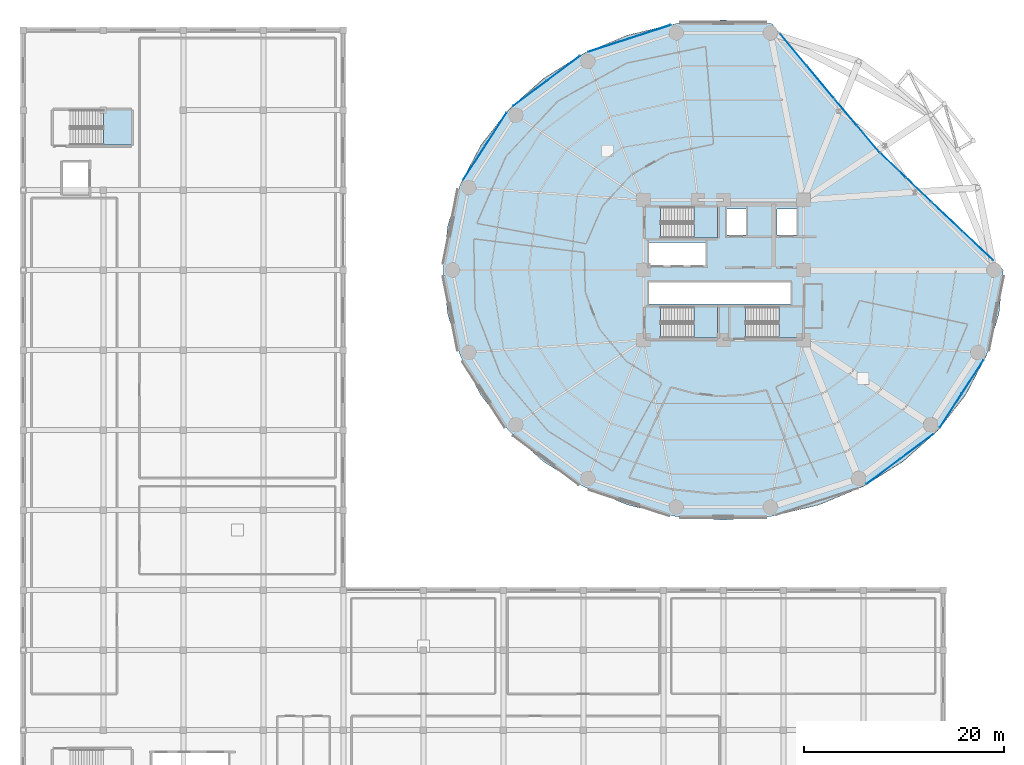
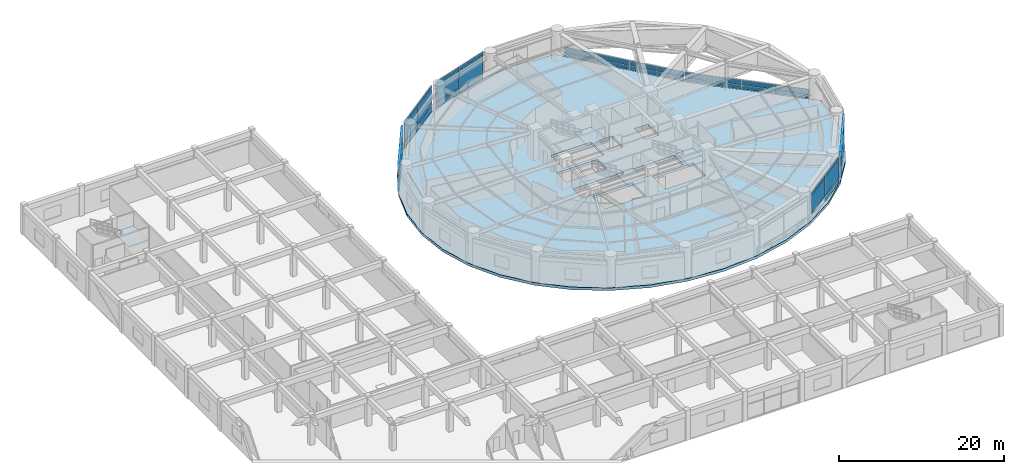
# One storey, part 37 of 52: 45 plates, 5 slabs, 13 elements without a shape of their own.
"""IFC4 building model written with IfcOpenShell, lengths in metres."""

from ifc_helpers import new_model, si_unit, direction, frame, origin, origin_2d, place, context, subcontext, project, spatial, polyline, rectangle, outline, extrude, source, transform, mapped, material, layer, layer_set, type_object, element, aggregate, save


model = new_model("IFC4")

# Units and contexts
model_context = context("Model", 3, precision=1e-05, world=origin(), true_north=direction((0.0, 1.0)))
body_context = subcontext(model_context, "Body", "Model", "MODEL_VIEW")
ifc_project = project(units=[si_unit("LENGTHUNIT", "METRE"), si_unit("AREAUNIT", "SQUARE_METRE"), si_unit("VOLUMEUNIT", "CUBIC_METRE"), si_unit("PLANEANGLEUNIT", "RADIAN"), si_unit("MASSUNIT", "GRAM", prefix="KILO")], contexts=[model_context])

# Site, building, storey
site_placement = place(None, origin())
site = spatial("IfcSite", under=ifc_project, at=site_placement, CompositionType="ELEMENT")
building_placement = place(site_placement, origin())
building = spatial("IfcBuilding", under=site, at=building_placement, Name="Kelanora Arch Commons", CompositionType="ELEMENT")
storey_placement = place(building_placement, frame((0.0, 0.0, 13.5)))
storey = spatial("IfcBuildingStorey", under=building, at=storey_placement, Name="L03", CompositionType="ELEMENT", Elevation=13.5)

# Stair, slab
ifc_material_1 = material(Name="Concrete C40/50", Category="concrete")
stair_type = type_object("IfcStairType", Name="STR-DL-450", PredefinedType="HALF_TURN_STAIR", material=ifc_material_1)
stair_1_placement = place(storey_placement, origin())
stair_1 = element("IfcStair", 1, at=stair_1_placement, inside=storey, type_object=stair_type, Name="L03 ST-T1", PredefinedType="HALF_TURN_STAIR")
ifc_layer_1 = layer(ifc_material_1, 0.199951171875)
ifc_layer_set_1 = layer_set([ifc_layer_1], Name="Concrete C40/50")
slab_type_1 = type_object("IfcSlabType", Name="SLB-STAIR-LND", PredefinedType="LANDING", material=ifc_layer_set_1)
slab_1_placement = place(storey_placement, frame((0.0, 0.0, 2.050048828125)))
slab_1 = element("IfcSlab", 2, at=slab_1_placement, type_object=slab_type_1, Name="ST-T1 landing 1", PredefinedType="LANDING", context=body_context, shape_type="SweptSolid", body=[
    extrude(outline(polyline([(71.080078125, 61.179931640625), (73.43994140625, 61.179931640625), (73.43994140625, 64.2900390625), (71.080078125, 64.2900390625), (71.080078125, 61.179931640625)])), origin(), (0.0, 0.0, 1.0), 0.199951171875),
])
aggregate(stair_1, [slab_1])

stair_2_placement = place(storey_placement, origin())
stair_2 = element("IfcStair", 3, at=stair_2_placement, inside=storey, type_object=stair_type, Name="L03 ST-T2", PredefinedType="HALF_TURN_STAIR")
slab_2_placement = place(storey_placement, frame((0.0, 0.0, 2.050048828125)))
slab_2 = element("IfcSlab", 4, at=slab_2_placement, type_object=slab_type_1, Name="ST-T2 landing 1", PredefinedType="LANDING", context=body_context, shape_type="SweptSolid", body=[
    extrude(outline(polyline([(79.56005859375, 51.179931640625), (81.919921875, 51.179931640625), (81.919921875, 54.2900390625), (79.56005859375, 54.2900390625), (79.56005859375, 51.179931640625)])), origin(), (0.0, 0.0, 1.0), 0.199951171875),
])
aggregate(stair_2, [slab_2])

stair_3_placement = place(storey_placement, origin())
stair_3 = element("IfcStair", 5, at=stair_3_placement, inside=storey, type_object=stair_type, Name="L03 ST-T3", PredefinedType="HALF_TURN_STAIR")
slab_3_placement = place(storey_placement, frame((0.0, 0.0, 2.050048828125)))
slab_3 = element("IfcSlab", 6, at=slab_3_placement, type_object=slab_type_1, Name="ST-T3 landing 1", PredefinedType="LANDING", context=body_context, shape_type="SweptSolid", body=[
    extrude(outline(polyline([(71.080078125, 51.179931640625), (73.43994140625, 51.179931640625), (73.43994140625, 54.2900390625), (71.080078125, 54.2900390625), (71.080078125, 51.179931640625)])), origin(), (0.0, 0.0, 1.0), 0.199951171875),
])
aggregate(stair_3, [slab_3])

stair_4_placement = place(storey_placement, origin())
stair_4 = element("IfcStair", 7, at=stair_4_placement, inside=storey, type_object=stair_type, Name="L03 ST-M3", PredefinedType="HALF_TURN_STAIR")
slab_4_placement = place(storey_placement, frame((0.0, 0.0, 2.050048828125)))
slab_4 = element("IfcSlab", 8, at=slab_4_placement, type_object=slab_type_1, Name="ST-M3 landing 1", PredefinedType="LANDING", context=body_context, shape_type="SweptSolid", body=[
    extrude(outline(polyline([(12.0400390625, 70.47998046875), (14.800048828125, 70.47998046875), (14.800048828125, 73.989990234375), (12.0400390625, 73.989990234375), (12.0400390625, 70.47998046875)])), origin(), (0.0, 0.0, 1.0), 0.199951171875),
])
aggregate(stair_4, [slab_4])

# Slab
ifc_material_2 = material(Name="Concrete C50/60", Category="concrete")
ifc_layer_2 = layer(ifc_material_2, 0.39990234375)
ifc_layer_set_2 = layer_set([ifc_layer_2], Name="Concrete C50/60")
slab_type_2 = type_object("IfcSlabType", Name="SLB-TWR-XFER", PredefinedType="FLOOR", material=ifc_layer_set_2)
slab_5_placement = place(storey_placement, frame((0.0, 0.0, -0.39990234375)))
element("IfcSlab", 9, at=slab_5_placement, inside=storey, type_object=slab_type_2, Name="Tower Floor Slab L03", PredefinedType="FLOOR", context=body_context, shape_type="SweptSolid", body=[
    extrude(outline(polyline([(102.0, 58.0), (97.9521484375, 61.77099609375), (94.83349609375, 64.770263671875), (92.0791015625, 67.319580078125), (89.657958984375, 69.73095703125), (87.418701171875, 72.2783203125), (85.085205078125, 75.14306640625), (82.318603515625, 78.406005859375), (78.862060546875, 82.6201171875), (74.0, 83.0), (69.137939453125, 82.6201171875), (64.42333984375, 81.4921875), (60.0, 79.650634765625), (56.001953125, 77.151123046875), (52.55078125, 74.069580078125), (49.751220703125, 70.5), (47.688720703125, 66.550537109375), (46.42529296875, 62.34130859375), (46.0, 58.0), (46.42529296875, 53.65869140625), (47.688720703125, 49.449462890625), (49.751220703125, 45.5), (52.55078125, 41.930419921875), (56.001953125, 38.848876953125), (60.0, 36.349365234375), (64.42333984375, 34.5078125), (69.137939453125, 33.3798828125), (74.0, 33.0), (78.862060546875, 33.3798828125), (83.57666015625, 34.5078125), (88.0, 36.349365234375), (91.998046875, 38.848876953125), (95.44921875, 41.930419921875), (98.248779296875, 45.5), (100.311279296875, 49.449462890625), (101.57470703125, 53.65869140625), (102.0, 58.0)]), holes=[polyline([(73.431884765625, 51.18798828125), (67.72802734375, 51.18798828125), (67.72802734375, 54.281982421875), (73.431884765625, 54.281982421875), (73.431884765625, 51.18798828125)]), polyline([(76.2080078125, 51.18798828125), (76.2080078125, 54.281982421875), (81.912109375, 54.281982421875), (81.912109375, 51.18798828125), (76.2080078125, 51.18798828125)]), polyline([(66.550048828125, 54.60009765625), (66.550048828125, 56.800048828125), (80.75, 56.800048828125), (80.75, 54.60009765625), (66.550048828125, 54.60009765625)]), polyline([(66.550048828125, 58.449951171875), (66.550048828125, 60.75), (72.25, 60.75), (72.25, 58.449951171875), (66.550048828125, 58.449951171875)]), polyline([(67.72802734375, 61.18798828125), (67.72802734375, 64.281982421875), (73.431884765625, 64.281982421875), (73.431884765625, 61.18798828125), (67.72802734375, 61.18798828125)]), polyline([(74.3798828125, 61.47998046875), (74.3798828125, 64.1201171875), (76.260009765625, 64.1201171875), (76.260009765625, 61.47998046875), (74.3798828125, 61.47998046875)]), polyline([(79.3798828125, 61.47998046875), (79.3798828125, 64.1201171875), (81.320068359375, 64.1201171875), (81.320068359375, 61.47998046875), (79.3798828125, 61.47998046875)])]), origin(), (0.0, 0.0, 1.0), 0.39990234375),
])

# Curtain wall, plates
ifc_material_3 = material(Name="Terracotta ceramic-fritted low-E glass and aluminium", Category="masonry")
ifc_layer_3 = layer(ifc_material_3, 0.2099609375)
ifc_layer_set_3 = layer_set([ifc_layer_3], Name="Terracotta ceramic-fritted low-E glass and aluminium")
curtain_wall_type = type_object("IfcCurtainWallType", Name="CW-SYS-04", PredefinedType="NOTDEFINED", material=ifc_layer_set_3)
curtain_wall_1_placement = place(storey_placement, origin())
curtain_wall_1 = element("IfcCurtainWall", 10, at=curtain_wall_1_placement, inside=storey, type_object=curtain_wall_type, Name="Unitised Curtain Wall L03-B00", PredefinedType="NOTDEFINED")
ifc_material_4 = material(Name="Clear laminated solar-control double glazing", Category="glass")
ifc_layer_4 = layer(ifc_material_4, 0.033935546875)
ifc_layer_set_4 = layer_set([ifc_layer_4], Name="Clear laminated solar-control double glazing")
plate_type = type_object("IfcPlateType", Name="CWP-CLR", PredefinedType="CURTAIN_PANEL", material=ifc_layer_set_4)
shared_shape_1 = source(origin(), body_context, "Body", "SweptSolid", [
    extrude(rectangle(XDim=4.146240234375, YDim=0.033935546875, at=origin_2d()), origin(), (0.0, 0.0, 1.0), 0.575927734375),
])
plate_1_placement = place(storey_placement, frame((99.452392578125, 60.40673828125, 0.06005859375), z_axis=(0.0, 0.0, 1.0), x_axis=(-0.72692182078, 0.686720224308, 0.0)))
plate_1 = element("IfcPlate", 11, at=plate_1_placement, type_object=plate_type, Name="CW-04 panel 1.1", PredefinedType="CURTAIN_PANEL", context=body_context, shape_type="MappedRepresentation", body=[
    mapped(shared_shape_1, transform((0.0, 0.0, 0.0), scale=1.0)),
])
plate_2_placement = place(storey_placement, frame((96.394775390625, 63.295166015625, 0.06005859375), z_axis=(0.0, 0.0, 1.0), x_axis=(-0.72692182078, 0.686720224308, 0.0)))
plate_2 = element("IfcPlate", 12, at=plate_2_placement, type_object=plate_type, Name="CW-04 panel 2.1", PredefinedType="CURTAIN_PANEL", context=body_context, shape_type="MappedRepresentation", body=[
    mapped(shared_shape_1, transform((0.0, 0.0, 0.0), scale=1.0)),
])
shared_shape_2 = source(origin(), body_context, "Body", "SweptSolid", [
    extrude(rectangle(XDim=4.146240234375, YDim=0.033935546875, at=origin_2d()), origin(), (0.0, 0.0, 1.0), 0.72412109375),
])
plate_3_placement = place(storey_placement, frame((99.452392578125, 60.40673828125, 0.696044921875), z_axis=(0.0, 0.0, 1.0), x_axis=(-0.72692182078, 0.686720224308, 0.0)))
plate_3 = element("IfcPlate", 13, at=plate_3_placement, type_object=plate_type, Name="CW-04 panel 1.2", PredefinedType="CURTAIN_PANEL", context=body_context, shape_type="MappedRepresentation", body=[
    mapped(shared_shape_2, transform((0.0, 0.0, 0.0), scale=1.0)),
])
plate_4_placement = place(storey_placement, frame((96.394775390625, 63.295166015625, 0.696044921875), z_axis=(0.0, 0.0, 1.0), x_axis=(-0.72692182078, 0.686720224308, 0.0)))
plate_4 = element("IfcPlate", 14, at=plate_4_placement, type_object=plate_type, Name="CW-04 panel 2.2", PredefinedType="CURTAIN_PANEL", context=body_context, shape_type="MappedRepresentation", body=[
    mapped(shared_shape_2, transform((0.0, 0.0, 0.0), scale=1.0)),
])
aggregate(curtain_wall_1, [plate_1, plate_3, plate_2, plate_4])

curtain_wall_2_placement = place(storey_placement, origin())
curtain_wall_2 = element("IfcCurtainWall", 15, at=curtain_wall_2_placement, inside=storey, type_object=curtain_wall_type, Name="Unitised Curtain Wall L03-B01", PredefinedType="NOTDEFINED")
shared_shape_3 = source(origin(), body_context, "Body", "SweptSolid", [
    extrude(rectangle(XDim=3.4794921875, YDim=0.033935546875, at=origin_2d()), origin(), (0.0, 0.0, 1.0), 0.575927734375),
])
plate_5_placement = place(storey_placement, frame((93.523193359375, 66.026123046875, 0.06005859375), z_axis=(0.0, 0.0, 1.0), x_axis=(-0.721943011302, 0.691952518914, 0.0)))
plate_5 = element("IfcPlate", 16, at=plate_5_placement, type_object=plate_type, Name="CW-04 panel 1.1", PredefinedType="CURTAIN_PANEL", context=body_context, shape_type="MappedRepresentation", body=[
    mapped(shared_shape_3, transform((0.0, 0.0, 0.0), scale=1.0)),
])
plate_6_placement = place(storey_placement, frame((90.968017578125, 68.47509765625, 0.06005859375), z_axis=(0.0, 0.0, 1.0), x_axis=(-0.721943011302, 0.691952518914, 0.0)))
plate_6 = element("IfcPlate", 17, at=plate_6_placement, type_object=plate_type, Name="CW-04 panel 2.1", PredefinedType="CURTAIN_PANEL", context=body_context, shape_type="MappedRepresentation", body=[
    mapped(shared_shape_3, transform((0.0, 0.0, 0.0), scale=1.0)),
])
shared_shape_4 = source(origin(), body_context, "Body", "SweptSolid", [
    extrude(rectangle(XDim=3.4794921875, YDim=0.033935546875, at=origin_2d()), origin(), (0.0, 0.0, 1.0), 0.72412109375),
])
plate_7_placement = place(storey_placement, frame((93.523193359375, 66.026123046875, 0.696044921875), z_axis=(0.0, 0.0, 1.0), x_axis=(-0.721943011302, 0.691952518914, 0.0)))
plate_7 = element("IfcPlate", 18, at=plate_7_placement, type_object=plate_type, Name="CW-04 panel 1.2", PredefinedType="CURTAIN_PANEL", context=body_context, shape_type="MappedRepresentation", body=[
    mapped(shared_shape_4, transform((0.0, 0.0, 0.0), scale=1.0)),
])
plate_8_placement = place(storey_placement, frame((90.968017578125, 68.47509765625, 0.696044921875), z_axis=(0.0, 0.0, 1.0), x_axis=(-0.721943011302, 0.691952518914, 0.0)))
plate_8 = element("IfcPlate", 19, at=plate_8_placement, type_object=plate_type, Name="CW-04 panel 2.2", PredefinedType="CURTAIN_PANEL", context=body_context, shape_type="MappedRepresentation", body=[
    mapped(shared_shape_4, transform((0.0, 0.0, 0.0), scale=1.0)),
])
aggregate(curtain_wall_2, [plate_5, plate_7, plate_6, plate_8])

curtain_wall_3_placement = place(storey_placement, origin())
curtain_wall_3 = element("IfcCurtainWall", 20, at=curtain_wall_3_placement, inside=storey, type_object=curtain_wall_type, Name="Unitised Curtain Wall L03-B02", PredefinedType="NOTDEFINED")
shared_shape_5 = source(origin(), body_context, "Body", "SweptSolid", [
    extrude(rectangle(XDim=3.4375, YDim=0.033935546875, at=origin_2d()), origin(), (0.0, 0.0, 1.0), 0.575927734375),
])
plate_9_placement = place(storey_placement, frame((88.500244140625, 71.10107421875, 0.06005859375), z_axis=(0.0, 0.0, 1.0), x_axis=(-0.645388011752, 0.763854903949, 0.0)))
plate_9 = element("IfcPlate", 21, at=plate_9_placement, type_object=plate_type, Name="CW-04 panel 1.1", PredefinedType="CURTAIN_PANEL", context=body_context, shape_type="MappedRepresentation", body=[
    mapped(shared_shape_5, transform((0.0, 0.0, 0.0), scale=1.0)),
])
plate_10_placement = place(storey_placement, frame((86.242919921875, 73.772705078125, 0.06005859375), z_axis=(0.0, 0.0, 1.0), x_axis=(-0.645388011752, 0.763854903949, 0.0)))
plate_10 = element("IfcPlate", 22, at=plate_10_placement, type_object=plate_type, Name="CW-04 panel 2.1", PredefinedType="CURTAIN_PANEL", context=body_context, shape_type="MappedRepresentation", body=[
    mapped(shared_shape_5, transform((0.0, 0.0, 0.0), scale=1.0)),
])
shared_shape_6 = source(origin(), body_context, "Body", "SweptSolid", [
    extrude(rectangle(XDim=3.4375, YDim=0.033935546875, at=origin_2d()), origin(), (0.0, 0.0, 1.0), 0.72412109375),
])
plate_11_placement = place(storey_placement, frame((88.500244140625, 71.10107421875, 0.696044921875), z_axis=(0.0, 0.0, 1.0), x_axis=(-0.645388011752, 0.763854903949, 0.0)))
plate_11 = element("IfcPlate", 23, at=plate_11_placement, type_object=plate_type, Name="CW-04 panel 1.2", PredefinedType="CURTAIN_PANEL", context=body_context, shape_type="MappedRepresentation", body=[
    mapped(shared_shape_6, transform((0.0, 0.0, 0.0), scale=1.0)),
])
plate_12_placement = place(storey_placement, frame((86.242919921875, 73.772705078125, 0.696044921875), z_axis=(0.0, 0.0, 1.0), x_axis=(-0.645388011752, 0.763854903949, 0.0)))
plate_12 = element("IfcPlate", 24, at=plate_12_placement, type_object=plate_type, Name="CW-04 panel 2.2", PredefinedType="CURTAIN_PANEL", context=body_context, shape_type="MappedRepresentation", body=[
    mapped(shared_shape_6, transform((0.0, 0.0, 0.0), scale=1.0)),
])
aggregate(curtain_wall_3, [plate_9, plate_11, plate_10, plate_12])

curtain_wall_4_placement = place(storey_placement, origin())
curtain_wall_4 = element("IfcCurtainWall", 25, at=curtain_wall_4_placement, inside=storey, type_object=curtain_wall_type, Name="Unitised Curtain Wall L03-B03", PredefinedType="NOTDEFINED")
shared_shape_7 = source(origin(), body_context, "Body", "SweptSolid", [
    extrude(rectangle(XDim=4.1533203125, YDim=0.033935546875, at=origin_2d()), origin(), (0.0, 0.0, 1.0), 0.575927734375),
])
plate_13_placement = place(storey_placement, frame((83.708740234375, 76.796875, 0.06005859375), z_axis=(0.0, 0.0, 1.0), x_axis=(-0.639702125211, 0.768622918602, 0.0)))
plate_13 = element("IfcPlate", 26, at=plate_13_placement, type_object=plate_type, Name="CW-04 panel 1.1", PredefinedType="CURTAIN_PANEL", context=body_context, shape_type="MappedRepresentation", body=[
    mapped(shared_shape_7, transform((0.0, 0.0, 0.0), scale=1.0)),
])
plate_14_placement = place(storey_placement, frame((81.013427734375, 80.03515625, 0.06005859375), z_axis=(0.0, 0.0, 1.0), x_axis=(-0.639702125211, 0.768622918602, 0.0)))
plate_14 = element("IfcPlate", 27, at=plate_14_placement, type_object=plate_type, Name="CW-04 panel 2.1", PredefinedType="CURTAIN_PANEL", context=body_context, shape_type="MappedRepresentation", body=[
    mapped(shared_shape_7, transform((0.0, 0.0, 0.0), scale=1.0)),
])
shared_shape_8 = source(origin(), body_context, "Body", "SweptSolid", [
    extrude(rectangle(XDim=4.1533203125, YDim=0.033935546875, at=origin_2d()), origin(), (0.0, 0.0, 1.0), 0.72412109375),
])
plate_15_placement = place(storey_placement, frame((83.708740234375, 76.796875, 0.696044921875), z_axis=(0.0, 0.0, 1.0), x_axis=(-0.639702125211, 0.768622918602, 0.0)))
plate_15 = element("IfcPlate", 28, at=plate_15_placement, type_object=plate_type, Name="CW-04 panel 1.2", PredefinedType="CURTAIN_PANEL", context=body_context, shape_type="MappedRepresentation", body=[
    mapped(shared_shape_8, transform((0.0, 0.0, 0.0), scale=1.0)),
])
plate_16_placement = place(storey_placement, frame((81.013427734375, 80.03515625, 0.696044921875), z_axis=(0.0, 0.0, 1.0), x_axis=(-0.639702125211, 0.768622918602, 0.0)))
plate_16 = element("IfcPlate", 29, at=plate_16_placement, type_object=plate_type, Name="CW-04 panel 2.2", PredefinedType="CURTAIN_PANEL", context=body_context, shape_type="MappedRepresentation", body=[
    mapped(shared_shape_8, transform((0.0, 0.0, 0.0), scale=1.0)),
])
aggregate(curtain_wall_4, [plate_13, plate_15, plate_14, plate_16])

curtain_wall_5_placement = place(storey_placement, origin())
curtain_wall_5 = element("IfcCurtainWall", 30, at=curtain_wall_5_placement, inside=storey, type_object=curtain_wall_type, Name="Unitised Curtain Wall L03-B05", PredefinedType="NOTDEFINED")
shared_shape_9 = source(origin(), body_context, "Body", "SweptSolid", [
    extrude(rectangle(XDim=4.28466796875, YDim=0.033935546875, at=origin_2d()), origin(), (0.0, 0.0, 1.0), 0.81005859375),
])
plate_17_placement = place(storey_placement, frame((66.6826171875, 81.822265625, 0.06005859375), z_axis=(0.0, 0.0, 1.0), x_axis=(-0.951039444211, -0.309069531911, 0.0)))
plate_17 = element("IfcPlate", 31, at=plate_17_placement, type_object=plate_type, Name="CW-04 panel 1.1", PredefinedType="CURTAIN_PANEL", context=body_context, shape_type="MappedRepresentation", body=[
    mapped(shared_shape_9, transform((0.0, 0.0, 0.0), scale=1.0)),
])
plate_18_placement = place(storey_placement, frame((62.55078125, 80.4794921875, 0.06005859375), z_axis=(0.0, 0.0, 1.0), x_axis=(-0.951039444211, -0.309069531911, 0.0)))
plate_18 = element("IfcPlate", 32, at=plate_18_placement, type_object=plate_type, Name="CW-04 panel 2.1", PredefinedType="CURTAIN_PANEL", context=body_context, shape_type="MappedRepresentation", body=[
    mapped(shared_shape_9, transform((0.0, 0.0, 0.0), scale=1.0)),
])
shared_shape_10 = source(origin(), body_context, "Body", "SweptSolid", [
    extrude(rectangle(XDim=4.28466796875, YDim=0.033935546875, at=origin_2d()), origin(), (0.0, 0.0, 1.0), 2.625),
])
plate_19_placement = place(storey_placement, frame((66.6826171875, 81.822265625, 0.929931640625), z_axis=(0.0, 0.0, 1.0), x_axis=(-0.951039444211, -0.309069531911, 0.0)))
plate_19 = element("IfcPlate", 33, at=plate_19_placement, type_object=plate_type, Name="CW-04 panel 1.2", PredefinedType="CURTAIN_PANEL", context=body_context, shape_type="MappedRepresentation", body=[
    mapped(shared_shape_10, transform((0.0, 0.0, 0.0), scale=1.0)),
])
plate_20_placement = place(storey_placement, frame((62.55078125, 80.4794921875, 0.929931640625), z_axis=(0.0, 0.0, 1.0), x_axis=(-0.951039444211, -0.309069531911, 0.0)))
plate_20 = element("IfcPlate", 34, at=plate_20_placement, type_object=plate_type, Name="CW-04 panel 2.2", PredefinedType="CURTAIN_PANEL", context=body_context, shape_type="MappedRepresentation", body=[
    mapped(shared_shape_10, transform((0.0, 0.0, 0.0), scale=1.0)),
])
shared_shape_11 = source(origin(), body_context, "Body", "SweptSolid", [
    extrude(rectangle(XDim=4.28466796875, YDim=0.033935546875, at=origin_2d()), origin(), (0.0, 0.0, 1.0), 0.409912109375),
])
plate_21_placement = place(storey_placement, frame((66.6826171875, 81.822265625, 3.615234375), z_axis=(0.0, 0.0, 1.0), x_axis=(-0.951039444211, -0.309069531911, 0.0)))
plate_21 = element("IfcPlate", 35, at=plate_21_placement, type_object=plate_type, Name="CW-04 panel 1.3", PredefinedType="CURTAIN_PANEL", context=body_context, shape_type="MappedRepresentation", body=[
    mapped(shared_shape_11, transform((0.0, 0.0, 0.0), scale=1.0)),
])
plate_22_placement = place(storey_placement, frame((62.55078125, 80.4794921875, 3.615234375), z_axis=(0.0, 0.0, 1.0), x_axis=(-0.951039444211, -0.309069531911, 0.0)))
plate_22 = element("IfcPlate", 36, at=plate_22_placement, type_object=plate_type, Name="CW-04 panel 2.3", PredefinedType="CURTAIN_PANEL", context=body_context, shape_type="MappedRepresentation", body=[
    mapped(shared_shape_11, transform((0.0, 0.0, 0.0), scale=1.0)),
])
aggregate(curtain_wall_5, [plate_17, plate_19, plate_21, plate_18, plate_20, plate_22])

curtain_wall_6_placement = place(storey_placement, origin())
curtain_wall_6 = element("IfcCurtainWall", 37, at=curtain_wall_6_placement, inside=storey, type_object=curtain_wall_type, Name="Unitised Curtain Wall L03-B06", PredefinedType="NOTDEFINED")
shared_shape_12 = source(origin(), body_context, "Body", "SweptSolid", [
    extrude(rectangle(XDim=4.133056640625, YDim=0.033935546875, at=origin_2d()), origin(), (0.0, 0.0, 1.0), 0.81005859375),
])
plate_23_placement = place(storey_placement, frame((58.0166015625, 78.164794921875, 0.06005859375), z_axis=(0.0, 0.0, 1.0), x_axis=(-0.800305369944, -0.59959262407, 0.0)))
plate_23 = element("IfcPlate", 38, at=plate_23_placement, type_object=plate_type, Name="CW-04 panel 1.1", PredefinedType="CURTAIN_PANEL", context=body_context, shape_type="MappedRepresentation", body=[
    mapped(shared_shape_12, transform((0.0, 0.0, 0.0), scale=1.0)),
])
plate_24_placement = place(storey_placement, frame((54.660888671875, 75.650634765625, 0.06005859375), z_axis=(0.0, 0.0, 1.0), x_axis=(-0.800305369944, -0.59959262407, 0.0)))
plate_24 = element("IfcPlate", 39, at=plate_24_placement, type_object=plate_type, Name="CW-04 panel 2.1", PredefinedType="CURTAIN_PANEL", context=body_context, shape_type="MappedRepresentation", body=[
    mapped(shared_shape_12, transform((0.0, 0.0, 0.0), scale=1.0)),
])

# Curtain wall, plate
curtain_wall_7_placement = place(storey_placement, origin())
curtain_wall_7 = element("IfcCurtainWall", 40, at=curtain_wall_7_placement, inside=storey, type_object=curtain_wall_type, Name="Unitised Curtain Wall L03-B15", PredefinedType="NOTDEFINED")
plate_25_placement = place(storey_placement, frame((93.339111328125, 40.349365234375, 0.06005859375), z_axis=(0.0, 0.0, 1.0), x_axis=(0.800305369944, 0.59959262407, 0.0)))
plate_25 = element("IfcPlate", 41, at=plate_25_placement, type_object=plate_type, Name="CW-04 panel 2.1", PredefinedType="CURTAIN_PANEL", context=body_context, shape_type="MappedRepresentation", body=[
    mapped(shared_shape_12, transform((0.0, 0.0, 0.0), scale=1.0)),
])

# Plate
shared_shape_13 = source(origin(), body_context, "Body", "SweptSolid", [
    extrude(rectangle(XDim=4.133056640625, YDim=0.033935546875, at=origin_2d()), origin(), (0.0, 0.0, 1.0), 2.625),
])
plate_26_placement = place(storey_placement, frame((58.0166015625, 78.164794921875, 0.929931640625), z_axis=(0.0, 0.0, 1.0), x_axis=(-0.800305369944, -0.59959262407, 0.0)))
plate_26 = element("IfcPlate", 42, at=plate_26_placement, type_object=plate_type, Name="CW-04 panel 1.2", PredefinedType="CURTAIN_PANEL", context=body_context, shape_type="MappedRepresentation", body=[
    mapped(shared_shape_13, transform((0.0, 0.0, 0.0), scale=1.0)),
])

plate_27_placement = place(storey_placement, frame((54.660888671875, 75.650634765625, 0.929931640625), z_axis=(0.0, 0.0, 1.0), x_axis=(-0.800305369944, -0.59959262407, 0.0)))
plate_27 = element("IfcPlate", 43, at=plate_27_placement, type_object=plate_type, Name="CW-04 panel 2.2", PredefinedType="CURTAIN_PANEL", context=body_context, shape_type="MappedRepresentation", body=[
    mapped(shared_shape_13, transform((0.0, 0.0, 0.0), scale=1.0)),
])

plate_28_placement = place(storey_placement, frame((89.9833984375, 37.835205078125, 0.929931640625), z_axis=(0.0, 0.0, 1.0), x_axis=(0.800305369944, 0.59959262407, 0.0)))
plate_28 = element("IfcPlate", 44, at=plate_28_placement, type_object=plate_type, Name="CW-04 panel 1.2", PredefinedType="CURTAIN_PANEL", context=body_context, shape_type="MappedRepresentation", body=[
    mapped(shared_shape_13, transform((0.0, 0.0, 0.0), scale=1.0)),
])

plate_29_placement = place(storey_placement, frame((93.339111328125, 40.349365234375, 0.929931640625), z_axis=(0.0, 0.0, 1.0), x_axis=(0.800305369944, 0.59959262407, 0.0)))
plate_29 = element("IfcPlate", 45, at=plate_29_placement, type_object=plate_type, Name="CW-04 panel 2.2", PredefinedType="CURTAIN_PANEL", context=body_context, shape_type="MappedRepresentation", body=[
    mapped(shared_shape_13, transform((0.0, 0.0, 0.0), scale=1.0)),
])

shared_shape_14 = source(origin(), body_context, "Body", "SweptSolid", [
    extrude(rectangle(XDim=4.133056640625, YDim=0.033935546875, at=origin_2d()), origin(), (0.0, 0.0, 1.0), 0.409912109375),
])
plate_30_placement = place(storey_placement, frame((58.0166015625, 78.164794921875, 3.615234375), z_axis=(0.0, 0.0, 1.0), x_axis=(-0.800305369944, -0.59959262407, 0.0)))
plate_30 = element("IfcPlate", 46, at=plate_30_placement, type_object=plate_type, Name="CW-04 panel 1.3", PredefinedType="CURTAIN_PANEL", context=body_context, shape_type="MappedRepresentation", body=[
    mapped(shared_shape_14, transform((0.0, 0.0, 0.0), scale=1.0)),
])

plate_31_placement = place(storey_placement, frame((54.660888671875, 75.650634765625, 3.615234375), z_axis=(0.0, 0.0, 1.0), x_axis=(-0.800305369944, -0.59959262407, 0.0)))
plate_31 = element("IfcPlate", 47, at=plate_31_placement, type_object=plate_type, Name="CW-04 panel 2.3", PredefinedType="CURTAIN_PANEL", context=body_context, shape_type="MappedRepresentation", body=[
    mapped(shared_shape_14, transform((0.0, 0.0, 0.0), scale=1.0)),
])

aggregate(curtain_wall_6, [plate_23, plate_26, plate_30, plate_24, plate_27, plate_31])

plate_32_placement = place(storey_placement, frame((89.9833984375, 37.835205078125, 3.615234375), z_axis=(0.0, 0.0, 1.0), x_axis=(0.800305369944, 0.59959262407, 0.0)))
plate_32 = element("IfcPlate", 48, at=plate_32_placement, type_object=plate_type, Name="CW-04 panel 1.3", PredefinedType="CURTAIN_PANEL", context=body_context, shape_type="MappedRepresentation", body=[
    mapped(shared_shape_14, transform((0.0, 0.0, 0.0), scale=1.0)),
])

plate_33_placement = place(storey_placement, frame((93.339111328125, 40.349365234375, 3.615234375), z_axis=(0.0, 0.0, 1.0), x_axis=(0.800305369944, 0.59959262407, 0.0)))
plate_33 = element("IfcPlate", 49, at=plate_33_placement, type_object=plate_type, Name="CW-04 panel 2.3", PredefinedType="CURTAIN_PANEL", context=body_context, shape_type="MappedRepresentation", body=[
    mapped(shared_shape_14, transform((0.0, 0.0, 0.0), scale=1.0)),
])

aggregate(curtain_wall_7, [plate_28, plate_32, plate_25, plate_29, plate_33])

# Curtain wall, plates
curtain_wall_8_placement = place(storey_placement, origin())
curtain_wall_8 = element("IfcCurtainWall", 50, at=curtain_wall_8_placement, inside=storey, type_object=curtain_wall_type, Name="Unitised Curtain Wall L03-B07", PredefinedType="NOTDEFINED")
shared_shape_15 = source(origin(), body_context, "Body", "SweptSolid", [
    extrude(rectangle(XDim=3.95654296875, YDim=0.033935546875, at=origin_2d()), origin(), (0.0, 0.0, 1.0), 0.81005859375),
])
plate_34_placement = place(storey_placement, frame((51.24951171875, 72.057373046875, 0.06005859375), z_axis=(0.0, 0.0, 1.0), x_axis=(-0.54300636083, -0.839728582399, 0.0)))
plate_34 = element("IfcPlate", 51, at=plate_34_placement, type_object=plate_type, Name="CW-04 panel 1.1", PredefinedType="CURTAIN_PANEL", context=body_context, shape_type="MappedRepresentation", body=[
    mapped(shared_shape_15, transform((0.0, 0.0, 0.0), scale=1.0)),
])
plate_35_placement = place(storey_placement, frame((49.068603515625, 68.6845703125, 0.06005859375), z_axis=(0.0, 0.0, 1.0), x_axis=(-0.54300636083, -0.839728582399, 0.0)))
plate_35 = element("IfcPlate", 52, at=plate_35_placement, type_object=plate_type, Name="CW-04 panel 2.1", PredefinedType="CURTAIN_PANEL", context=body_context, shape_type="MappedRepresentation", body=[
    mapped(shared_shape_15, transform((0.0, 0.0, 0.0), scale=1.0)),
])

curtain_wall_9_placement = place(storey_placement, origin())
curtain_wall_9 = element("IfcCurtainWall", 53, at=curtain_wall_9_placement, inside=storey, type_object=curtain_wall_type, Name="Unitised Curtain Wall L03-B16", PredefinedType="NOTDEFINED")
plate_36_placement = place(storey_placement, frame((96.75048828125, 43.942626953125, 0.06005859375), z_axis=(0.0, 0.0, 1.0), x_axis=(0.54300636083, 0.839728582399, 0.0)))
plate_36 = element("IfcPlate", 54, at=plate_36_placement, type_object=plate_type, Name="CW-04 panel 1.1", PredefinedType="CURTAIN_PANEL", context=body_context, shape_type="MappedRepresentation", body=[
    mapped(shared_shape_15, transform((0.0, 0.0, 0.0), scale=1.0)),
])
plate_37_placement = place(storey_placement, frame((98.931396484375, 47.3154296875, 0.06005859375), z_axis=(0.0, 0.0, 1.0), x_axis=(0.54300636083, 0.839728582399, 0.0)))
plate_37 = element("IfcPlate", 55, at=plate_37_placement, type_object=plate_type, Name="CW-04 panel 2.1", PredefinedType="CURTAIN_PANEL", context=body_context, shape_type="MappedRepresentation", body=[
    mapped(shared_shape_15, transform((0.0, 0.0, 0.0), scale=1.0)),
])

# Plate
shared_shape_16 = source(origin(), body_context, "Body", "SweptSolid", [
    extrude(rectangle(XDim=3.95654296875, YDim=0.033935546875, at=origin_2d()), origin(), (0.0, 0.0, 1.0), 2.625),
])
plate_38_placement = place(storey_placement, frame((51.24951171875, 72.057373046875, 0.929931640625), z_axis=(0.0, 0.0, 1.0), x_axis=(-0.54300636083, -0.839728582399, 0.0)))
plate_38 = element("IfcPlate", 56, at=plate_38_placement, type_object=plate_type, Name="CW-04 panel 1.2", PredefinedType="CURTAIN_PANEL", context=body_context, shape_type="MappedRepresentation", body=[
    mapped(shared_shape_16, transform((0.0, 0.0, 0.0), scale=1.0)),
])

plate_39_placement = place(storey_placement, frame((49.068603515625, 68.6845703125, 0.929931640625), z_axis=(0.0, 0.0, 1.0), x_axis=(-0.54300636083, -0.839728582399, 0.0)))
plate_39 = element("IfcPlate", 57, at=plate_39_placement, type_object=plate_type, Name="CW-04 panel 2.2", PredefinedType="CURTAIN_PANEL", context=body_context, shape_type="MappedRepresentation", body=[
    mapped(shared_shape_16, transform((0.0, 0.0, 0.0), scale=1.0)),
])

plate_40_placement = place(storey_placement, frame((96.75048828125, 43.942626953125, 0.929931640625), z_axis=(0.0, 0.0, 1.0), x_axis=(0.54300636083, 0.839728582399, 0.0)))
plate_40 = element("IfcPlate", 58, at=plate_40_placement, type_object=plate_type, Name="CW-04 panel 1.2", PredefinedType="CURTAIN_PANEL", context=body_context, shape_type="MappedRepresentation", body=[
    mapped(shared_shape_16, transform((0.0, 0.0, 0.0), scale=1.0)),
])

plate_41_placement = place(storey_placement, frame((98.931396484375, 47.3154296875, 0.929931640625), z_axis=(0.0, 0.0, 1.0), x_axis=(0.54300636083, 0.839728582399, 0.0)))
plate_41 = element("IfcPlate", 59, at=plate_41_placement, type_object=plate_type, Name="CW-04 panel 2.2", PredefinedType="CURTAIN_PANEL", context=body_context, shape_type="MappedRepresentation", body=[
    mapped(shared_shape_16, transform((0.0, 0.0, 0.0), scale=1.0)),
])

shared_shape_17 = source(origin(), body_context, "Body", "SweptSolid", [
    extrude(rectangle(XDim=3.95654296875, YDim=0.033935546875, at=origin_2d()), origin(), (0.0, 0.0, 1.0), 0.409912109375),
])
plate_42_placement = place(storey_placement, frame((51.24951171875, 72.057373046875, 3.615234375), z_axis=(0.0, 0.0, 1.0), x_axis=(-0.54300636083, -0.839728582399, 0.0)))
plate_42 = element("IfcPlate", 60, at=plate_42_placement, type_object=plate_type, Name="CW-04 panel 1.3", PredefinedType="CURTAIN_PANEL", context=body_context, shape_type="MappedRepresentation", body=[
    mapped(shared_shape_17, transform((0.0, 0.0, 0.0), scale=1.0)),
])

plate_43_placement = place(storey_placement, frame((49.068603515625, 68.6845703125, 3.615234375), z_axis=(0.0, 0.0, 1.0), x_axis=(-0.54300636083, -0.839728582399, 0.0)))
plate_43 = element("IfcPlate", 61, at=plate_43_placement, type_object=plate_type, Name="CW-04 panel 2.3", PredefinedType="CURTAIN_PANEL", context=body_context, shape_type="MappedRepresentation", body=[
    mapped(shared_shape_17, transform((0.0, 0.0, 0.0), scale=1.0)),
])

aggregate(curtain_wall_8, [plate_34, plate_38, plate_42, plate_35, plate_39, plate_43])

plate_44_placement = place(storey_placement, frame((96.75048828125, 43.942626953125, 3.615234375), z_axis=(0.0, 0.0, 1.0), x_axis=(0.54300636083, 0.839728582399, 0.0)))
plate_44 = element("IfcPlate", 62, at=plate_44_placement, type_object=plate_type, Name="CW-04 panel 1.3", PredefinedType="CURTAIN_PANEL", context=body_context, shape_type="MappedRepresentation", body=[
    mapped(shared_shape_17, transform((0.0, 0.0, 0.0), scale=1.0)),
])

plate_45_placement = place(storey_placement, frame((98.931396484375, 47.3154296875, 3.615234375), z_axis=(0.0, 0.0, 1.0), x_axis=(0.54300636083, 0.839728582399, 0.0)))
plate_45 = element("IfcPlate", 63, at=plate_45_placement, type_object=plate_type, Name="CW-04 panel 2.3", PredefinedType="CURTAIN_PANEL", context=body_context, shape_type="MappedRepresentation", body=[
    mapped(shared_shape_17, transform((0.0, 0.0, 0.0), scale=1.0)),
])

aggregate(curtain_wall_9, [plate_36, plate_40, plate_44, plate_37, plate_41, plate_45])

save(model, "model.ifc")
